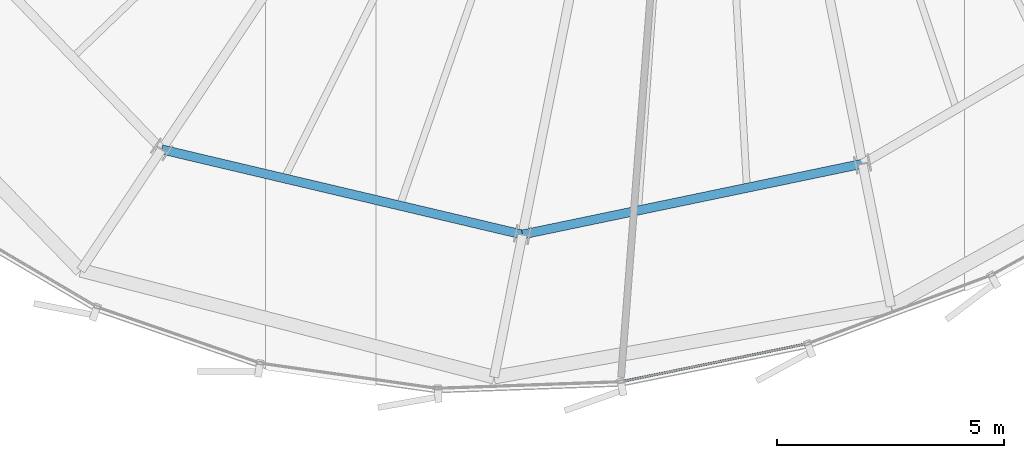
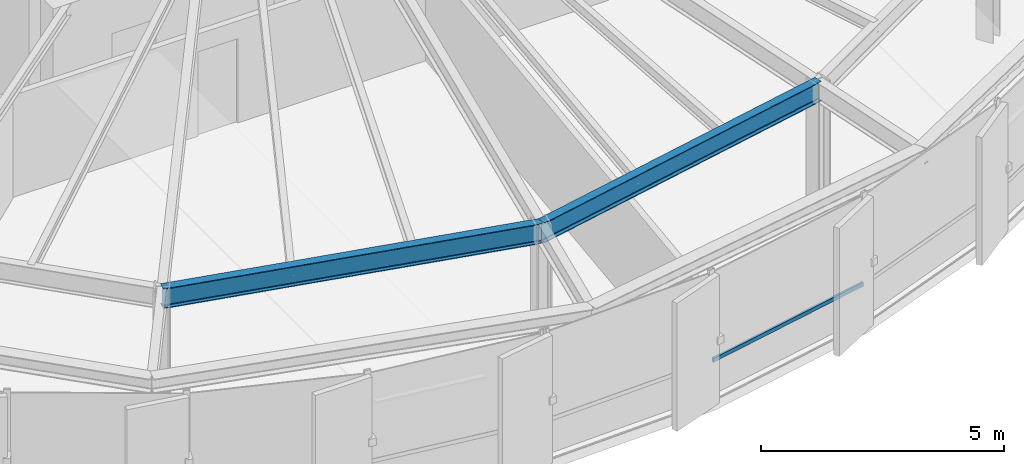
# One storey, part 7 of 37: 2 beams, 1 member, 1 element without a shape of its own.
"""IFC4 building model written with IfcOpenShell, lengths in metres."""

from ifc_helpers import new_model, si_unit, direction, frame, origin, origin_2d, place, context, subcontext, project, spatial, hollow_rectangle, i_section, extrude, source, transform, mapped, material, layer, layer_set, material_profile, profile_set, type_object, element, aggregate, save


model = new_model("IFC4")

# Units and contexts
model_context = context("Model", 3, precision=1e-05, world=origin(), true_north=direction((0.0, 1.0)))
body_context = subcontext(model_context, "Body", "Model", "MODEL_VIEW")
ifc_project = project(units=[si_unit("LENGTHUNIT", "METRE"), si_unit("AREAUNIT", "SQUARE_METRE"), si_unit("VOLUMEUNIT", "CUBIC_METRE"), si_unit("PLANEANGLEUNIT", "RADIAN"), si_unit("MASSUNIT", "GRAM", prefix="KILO"), si_unit("THERMODYNAMICTEMPERATUREUNIT", "KELVIN")], contexts=[model_context])

# Site, building, storey
site_placement = place(None, origin())
site = spatial("IfcSite", under=ifc_project, at=site_placement, CompositionType="ELEMENT")
building_placement = place(site_placement, origin())
building = spatial("IfcBuilding", under=site, at=building_placement, Name="Kethvar Cultural Tower", CompositionType="ELEMENT")
storey_placement = place(building_placement, frame((0.0, 0.0, 200.89990234375)))
storey = spatial("IfcBuildingStorey", under=building, at=storey_placement, Name="L52", CompositionType="ELEMENT", Elevation=200.89990234375)

# Beams
ifc_material_1 = material(Name="Steel S355J2", Category="steel")
ifc_material_profile_1 = material_profile(ifc_material_1, i_section(OverallWidth=0.199951171875, OverallDepth=0.5, WebThickness=0.01025390625, FlangeThickness=0.01611328125, FilletRadius=0.02099609375, at=origin_2d()), Name="Steel S355J2 — IPE500")
ifc_profile_set_1 = profile_set([ifc_material_profile_1], Name="Steel S355J2 — IPE500")
beam_type = type_object("IfcBeamType", Name="BM-IPE500", PredefinedType="BEAM", material=ifc_profile_set_1)
shared_shape_1 = source(origin(), body_context, "Body", "SweptSolid", [
    extrude(i_section(OverallWidth=0.199951171875, OverallDepth=0.5, WebThickness=0.01025390625, FlangeThickness=0.01611328125, FilletRadius=0.02099609375, at=origin_2d()), origin(), (0.0, 0.0, 1.0), 8.158935546875),
])
beam_1_placement = place(storey_placement, frame((34.962646484375, 10.084228515625, 3.008056640625), z_axis=(0.973284754953, -0.229601362748, 0.0), x_axis=(0.229601362748, 0.973284754953, 0.0)))
element("IfcBeam", 1, at=beam_1_placement, inside=storey, type_object=beam_type, Name="L52 Column Ring Tie Beam CR-11", PredefinedType="BEAM", context=body_context, shape_type="MappedRepresentation", body=[
    mapped(shared_shape_1, transform((0.0, 0.0, 0.0), scale=1.0)),
])
shared_shape_2 = source(origin(), body_context, "Body", "SweptSolid", [
    extrude(i_section(OverallWidth=0.199951171875, OverallDepth=0.5, WebThickness=0.01025390625, FlangeThickness=0.01611328125, FilletRadius=0.02099609375, at=origin_2d()), origin(), (0.0, 0.0, 1.0), 7.6435546875),
])
beam_2_placement = place(storey_placement, frame((42.903564453125, 8.2109375, 3.008056640625), z_axis=(0.979016278161, 0.203782057834, 0.0), x_axis=(-0.203782057834, 0.979016278161, 0.0)))
element("IfcBeam", 2, at=beam_2_placement, inside=storey, type_object=beam_type, Name="L52 Column Ring Tie Beam CR-12", PredefinedType="BEAM", context=body_context, shape_type="MappedRepresentation", body=[
    mapped(shared_shape_2, transform((0.0, 0.0, 0.0), scale=1.0)),
])

# Curtain wall, member
ifc_material_2 = material(Name="Aluminium 6063-T6", Category="aluminium")
ifc_layer = layer(ifc_material_2, 0.179931640625, Name="Aluminium 6063-T6", Category="aluminium")
ifc_layer_set = layer_set([ifc_layer], Name="Aluminium 6063-T6 (180 mm)")
curtain_wall_type = type_object("IfcCurtainWallType", Name="CW-SYS-04-Z34", PredefinedType="NOTDEFINED", material=ifc_layer_set)
curtain_wall_placement = place(storey_placement, origin())
curtain_wall = element("IfcCurtainWall", 3, at=curtain_wall_placement, inside=storey, type_object=curtain_wall_type, Name="L52 Curtain Wall Run 05", PredefinedType="NOTDEFINED")
ifc_material_profile_2 = material_profile(ifc_material_2, hollow_rectangle(XDim=0.050048828125, YDim=0.10009765625, WallThickness=0.00390625, at=origin_2d()), Name="Aluminium 6063-T6 — RHS100x50x4")
ifc_profile_set_2 = profile_set([ifc_material_profile_2], Name="Aluminium 6063-T6 — RHS100x50x4")
member_type = type_object("IfcMemberType", Name="CW-SYS-04-Z34-TRN", PredefinedType="USERDEFINED", material=ifc_profile_set_2)
shared_shape_3 = source(origin(), body_context, "Body", "SweptSolid", [
    extrude(hollow_rectangle(XDim=0.050048828125, YDim=0.10009765625, WallThickness=0.00390625, at=origin_2d()), origin(), (0.0, 0.0, 1.0), 4.12744140625),
])
member_placement = place(storey_placement, frame((45.10888671875, 4.980712890625, 0.9501953125), z_axis=(0.97977401113, 0.200107189064, 0.0), x_axis=(-0.200107189064, 0.97977401113, 0.0)))
member = element("IfcMember", 4, at=member_placement, type_object=member_type, Name="CW-L52-R05 Transom 2", ObjectType="TRANSOM", PredefinedType="USERDEFINED", context=body_context, shape_type="MappedRepresentation", body=[
    mapped(shared_shape_3, transform((0.0, 0.0, 0.0), scale=1.0)),
])
aggregate(curtain_wall, [member])

save(model, "model.ifc")
